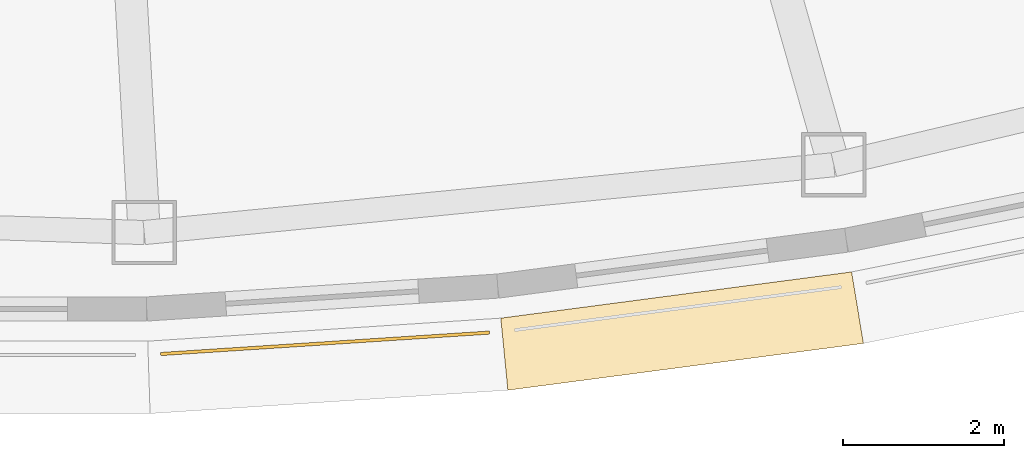
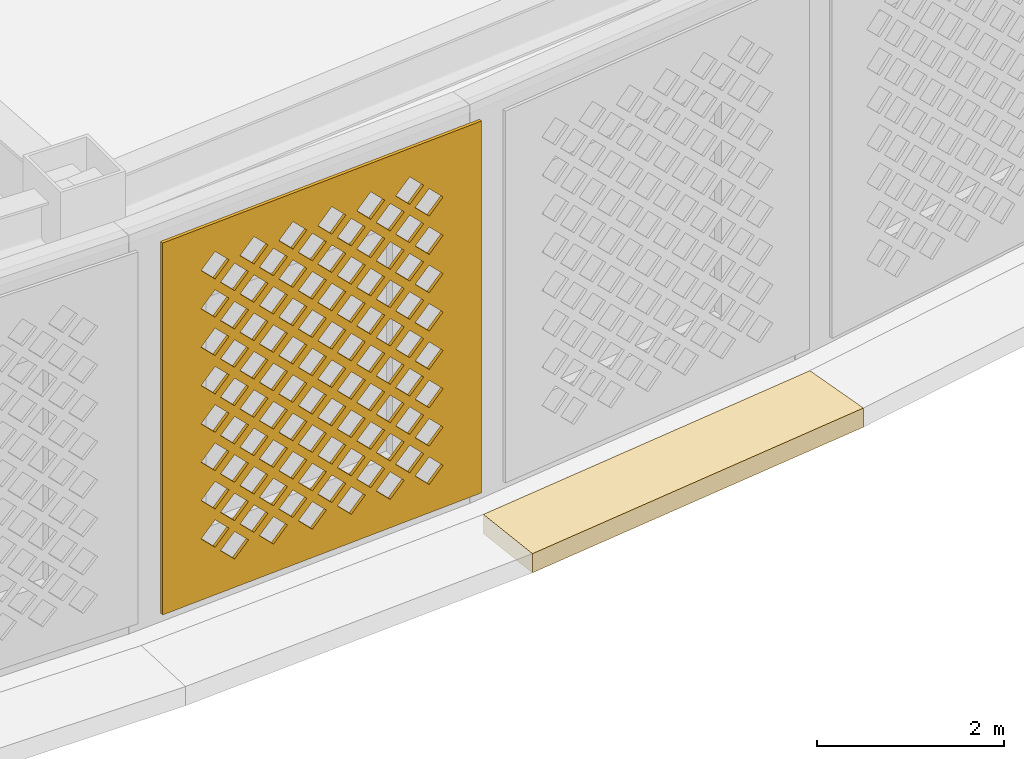
# One storey, part 48 of 63: 2 coverings.
"""IFC4 building model written with IfcOpenShell, lengths in metres."""

from ifc_helpers import new_model, si_unit, direction, frame, origin, place, context, subcontext, project, spatial, polyline, outline, extrude, material, layer, layer_set, type_object, element, save


model = new_model("IFC4")

# Units and contexts
model_context = context("Model", 3, precision=1e-05, world=origin(), true_north=direction((0.0, 1.0)))
body_context = subcontext(model_context, "Body", "Model", "MODEL_VIEW")
ifc_project = project(units=[si_unit("LENGTHUNIT", "METRE"), si_unit("AREAUNIT", "SQUARE_METRE"), si_unit("VOLUMEUNIT", "CUBIC_METRE"), si_unit("PLANEANGLEUNIT", "RADIAN"), si_unit("MASSUNIT", "GRAM", prefix="KILO")], contexts=[model_context])

# Site, building, storey
site_placement = place(None, origin())
site = spatial("IfcSite", under=ifc_project, at=site_placement, CompositionType="ELEMENT")
building_placement = place(site_placement, origin())
building = spatial("IfcBuilding", under=site, at=building_placement, Name="Noorbagh Ring Tower", CompositionType="ELEMENT")
storey_placement = place(building_placement, frame((0.0, 0.0, 25.0)))
storey = spatial("IfcBuildingStorey", under=building, at=storey_placement, Name="L04", CompositionType="ELEMENT", Elevation=25.0)

# Coverings
ifc_material_1 = material(Name="Red sandstone eave", Category="masonry")
covering_type_1 = type_object("IfcCoveringType", Name="STY-CHHAJJA", PredefinedType="USERDEFINED", material=ifc_material_1)
covering_1_placement = place(storey_placement, frame((0.0, 0.0, -0.25)))
element("IfcCovering", 1, at=covering_1_placement, inside=storey, type_object=covering_type_1, Name="Chhajja eave", ObjectType="CHHAJJA", PredefinedType="USERDEFINED", context=body_context, shape_type="SweptSolid", body=[
    extrude(outline(polyline([(6.586181640625, -39.677978515625), (10.945556640625, -39.103759765625), (11.093017578125, -39.9921875), (6.67431640625, -40.573974609375), (6.586181640625, -39.677978515625)])), origin(), (0.0, 0.0, 1.0), 0.25),
])
ifc_material_2 = material(Name="Red sandstone jali", Category="masonry")
ifc_layer = layer(ifc_material_2, 0.0400390625)
ifc_layer_set = layer_set([ifc_layer], Name="Red sandstone jali")
covering_type_2 = type_object("IfcCoveringType", Name="STY-JALI", PredefinedType="USERDEFINED", material=ifc_layer_set)
covering_2_placement = place(storey_placement, frame((2.360595703125, -40.14404296875, 0.449951171875), z_axis=(0.065130734288, -0.997876739608, 0.0), x_axis=(0.997876739608, 0.065130734288, 0.0)))
element("IfcCovering", 2, at=covering_2_placement, inside=storey, type_object=covering_type_2, Name="Jali screen", ObjectType="SCREEN", PredefinedType="USERDEFINED", context=body_context, shape_type="SweptSolid", body=[
    extrude(outline(polyline([(0.0, 0.0), (4.09716796875, 0.0), (4.09716796875, 4.85009765625), (0.0, 4.85009765625), (0.0, 0.0)]), holes=[polyline([(0.743408203125, 0.550048828125), (0.923583984375, 0.3701171875), (1.103515625, 0.550048828125), (0.923583984375, 0.72998046875), (0.743408203125, 0.550048828125)]), polyline([(1.243408203125, 0.550048828125), (1.423583984375, 0.3701171875), (1.603515625, 0.550048828125), (1.423583984375, 0.72998046875), (1.243408203125, 0.550048828125)]), polyline([(1.743408203125, 0.550048828125), (1.923583984375, 0.3701171875), (2.103515625, 0.550048828125), (1.923583984375, 0.72998046875), (1.743408203125, 0.550048828125)]), polyline([(2.243408203125, 0.550048828125), (2.423583984375, 0.3701171875), (2.603515625, 0.550048828125), (2.423583984375, 0.72998046875), (2.243408203125, 0.550048828125)]), polyline([(2.743408203125, 0.550048828125), (2.923583984375, 0.3701171875), (3.103515625, 0.550048828125), (2.923583984375, 0.72998046875), (2.743408203125, 0.550048828125)]), polyline([(3.243408203125, 0.550048828125), (3.423583984375, 0.3701171875), (3.603515625, 0.550048828125), (3.423583984375, 0.72998046875), (3.243408203125, 0.550048828125)]), polyline([(0.493408203125, 0.800048828125), (0.673583984375, 0.6201171875), (0.853515625, 0.800048828125), (0.673583984375, 0.97998046875), (0.493408203125, 0.800048828125)]), polyline([(0.993408203125, 0.800048828125), (1.173583984375, 0.6201171875), (1.353515625, 0.800048828125), (1.173583984375, 0.97998046875), (0.993408203125, 0.800048828125)]), polyline([(1.493408203125, 0.800048828125), (1.673583984375, 0.6201171875), (1.853515625, 0.800048828125), (1.673583984375, 0.97998046875), (1.493408203125, 0.800048828125)]), polyline([(1.993408203125, 0.800048828125), (2.173583984375, 0.6201171875), (2.353515625, 0.800048828125), (2.173583984375, 0.97998046875), (1.993408203125, 0.800048828125)]), polyline([(2.493408203125, 0.800048828125), (2.673583984375, 0.6201171875), (2.853515625, 0.800048828125), (2.673583984375, 0.97998046875), (2.493408203125, 0.800048828125)]), polyline([(2.993408203125, 0.800048828125), (3.173583984375, 0.6201171875), (3.353515625, 0.800048828125), (3.173583984375, 0.97998046875), (2.993408203125, 0.800048828125)]), polyline([(0.743408203125, 1.050048828125), (0.923583984375, 0.8701171875), (1.103515625, 1.050048828125), (0.923583984375, 1.22998046875), (0.743408203125, 1.050048828125)]), polyline([(1.243408203125, 1.050048828125), (1.423583984375, 0.8701171875), (1.603515625, 1.050048828125), (1.423583984375, 1.22998046875), (1.243408203125, 1.050048828125)]), polyline([(1.743408203125, 1.050048828125), (1.923583984375, 0.8701171875), (2.103515625, 1.050048828125), (1.923583984375, 1.22998046875), (1.743408203125, 1.050048828125)]), polyline([(2.243408203125, 1.050048828125), (2.423583984375, 0.8701171875), (2.603515625, 1.050048828125), (2.423583984375, 1.22998046875), (2.243408203125, 1.050048828125)]), polyline([(2.743408203125, 1.050048828125), (2.923583984375, 0.8701171875), (3.103515625, 1.050048828125), (2.923583984375, 1.22998046875), (2.743408203125, 1.050048828125)]), polyline([(3.243408203125, 1.050048828125), (3.423583984375, 0.8701171875), (3.603515625, 1.050048828125), (3.423583984375, 1.22998046875), (3.243408203125, 1.050048828125)]), polyline([(0.493408203125, 1.300048828125), (0.673583984375, 1.1201171875), (0.853515625, 1.300048828125), (0.673583984375, 1.47998046875), (0.493408203125, 1.300048828125)]), polyline([(0.993408203125, 1.300048828125), (1.173583984375, 1.1201171875), (1.353515625, 1.300048828125), (1.173583984375, 1.47998046875), (0.993408203125, 1.300048828125)]), polyline([(1.493408203125, 1.300048828125), (1.673583984375, 1.1201171875), (1.853515625, 1.300048828125), (1.673583984375, 1.47998046875), (1.493408203125, 1.300048828125)]), polyline([(1.993408203125, 1.300048828125), (2.173583984375, 1.1201171875), (2.353515625, 1.300048828125), (2.173583984375, 1.47998046875), (1.993408203125, 1.300048828125)]), polyline([(2.493408203125, 1.300048828125), (2.673583984375, 1.1201171875), (2.853515625, 1.300048828125), (2.673583984375, 1.47998046875), (2.493408203125, 1.300048828125)]), polyline([(2.993408203125, 1.300048828125), (3.173583984375, 1.1201171875), (3.353515625, 1.300048828125), (3.173583984375, 1.47998046875), (2.993408203125, 1.300048828125)]), polyline([(0.743408203125, 1.550048828125), (0.923583984375, 1.3701171875), (1.103515625, 1.550048828125), (0.923583984375, 1.72998046875), (0.743408203125, 1.550048828125)]), polyline([(1.243408203125, 1.550048828125), (1.423583984375, 1.3701171875), (1.603515625, 1.550048828125), (1.423583984375, 1.72998046875), (1.243408203125, 1.550048828125)]), polyline([(1.743408203125, 1.550048828125), (1.923583984375, 1.3701171875), (2.103515625, 1.550048828125), (1.923583984375, 1.72998046875), (1.743408203125, 1.550048828125)]), polyline([(2.243408203125, 1.550048828125), (2.423583984375, 1.3701171875), (2.603515625, 1.550048828125), (2.423583984375, 1.72998046875), (2.243408203125, 1.550048828125)]), polyline([(2.743408203125, 1.550048828125), (2.923583984375, 1.3701171875), (3.103515625, 1.550048828125), (2.923583984375, 1.72998046875), (2.743408203125, 1.550048828125)]), polyline([(3.243408203125, 1.550048828125), (3.423583984375, 1.3701171875), (3.603515625, 1.550048828125), (3.423583984375, 1.72998046875), (3.243408203125, 1.550048828125)]), polyline([(0.493408203125, 1.800048828125), (0.673583984375, 1.6201171875), (0.853515625, 1.800048828125), (0.673583984375, 1.97998046875), (0.493408203125, 1.800048828125)]), polyline([(0.993408203125, 1.800048828125), (1.173583984375, 1.6201171875), (1.353515625, 1.800048828125), (1.173583984375, 1.97998046875), (0.993408203125, 1.800048828125)]), polyline([(1.493408203125, 1.800048828125), (1.673583984375, 1.6201171875), (1.853515625, 1.800048828125), (1.673583984375, 1.97998046875), (1.493408203125, 1.800048828125)]), polyline([(1.993408203125, 1.800048828125), (2.173583984375, 1.6201171875), (2.353515625, 1.800048828125), (2.173583984375, 1.97998046875), (1.993408203125, 1.800048828125)]), polyline([(2.493408203125, 1.800048828125), (2.673583984375, 1.6201171875), (2.853515625, 1.800048828125), (2.673583984375, 1.97998046875), (2.493408203125, 1.800048828125)]), polyline([(2.993408203125, 1.800048828125), (3.173583984375, 1.6201171875), (3.353515625, 1.800048828125), (3.173583984375, 1.97998046875), (2.993408203125, 1.800048828125)]), polyline([(0.743408203125, 2.050048828125), (0.923583984375, 1.8701171875), (1.103515625, 2.050048828125), (0.923583984375, 2.22998046875), (0.743408203125, 2.050048828125)]), polyline([(1.243408203125, 2.050048828125), (1.423583984375, 1.8701171875), (1.603515625, 2.050048828125), (1.423583984375, 2.22998046875), (1.243408203125, 2.050048828125)]), polyline([(1.743408203125, 2.050048828125), (1.923583984375, 1.8701171875), (2.103515625, 2.050048828125), (1.923583984375, 2.22998046875), (1.743408203125, 2.050048828125)]), polyline([(2.243408203125, 2.050048828125), (2.423583984375, 1.8701171875), (2.603515625, 2.050048828125), (2.423583984375, 2.22998046875), (2.243408203125, 2.050048828125)]), polyline([(2.743408203125, 2.050048828125), (2.923583984375, 1.8701171875), (3.103515625, 2.050048828125), (2.923583984375, 2.22998046875), (2.743408203125, 2.050048828125)]), polyline([(3.243408203125, 2.050048828125), (3.423583984375, 1.8701171875), (3.603515625, 2.050048828125), (3.423583984375, 2.22998046875), (3.243408203125, 2.050048828125)]), polyline([(0.493408203125, 2.300048828125), (0.673583984375, 2.1201171875), (0.853515625, 2.300048828125), (0.673583984375, 2.47998046875), (0.493408203125, 2.300048828125)]), polyline([(0.993408203125, 2.300048828125), (1.173583984375, 2.1201171875), (1.353515625, 2.300048828125), (1.173583984375, 2.47998046875), (0.993408203125, 2.300048828125)]), polyline([(1.493408203125, 2.300048828125), (1.673583984375, 2.1201171875), (1.853515625, 2.300048828125), (1.673583984375, 2.47998046875), (1.493408203125, 2.300048828125)]), polyline([(1.993408203125, 2.300048828125), (2.173583984375, 2.1201171875), (2.353515625, 2.300048828125), (2.173583984375, 2.47998046875), (1.993408203125, 2.300048828125)]), polyline([(2.493408203125, 2.300048828125), (2.673583984375, 2.1201171875), (2.853515625, 2.300048828125), (2.673583984375, 2.47998046875), (2.493408203125, 2.300048828125)]), polyline([(2.993408203125, 2.300048828125), (3.173583984375, 2.1201171875), (3.353515625, 2.300048828125), (3.173583984375, 2.47998046875), (2.993408203125, 2.300048828125)]), polyline([(0.743408203125, 2.550048828125), (0.923583984375, 2.3701171875), (1.103515625, 2.550048828125), (0.923583984375, 2.72998046875), (0.743408203125, 2.550048828125)]), polyline([(1.243408203125, 2.550048828125), (1.423583984375, 2.3701171875), (1.603515625, 2.550048828125), (1.423583984375, 2.72998046875), (1.243408203125, 2.550048828125)]), polyline([(1.743408203125, 2.550048828125), (1.923583984375, 2.3701171875), (2.103515625, 2.550048828125), (1.923583984375, 2.72998046875), (1.743408203125, 2.550048828125)]), polyline([(2.243408203125, 2.550048828125), (2.423583984375, 2.3701171875), (2.603515625, 2.550048828125), (2.423583984375, 2.72998046875), (2.243408203125, 2.550048828125)]), polyline([(2.743408203125, 2.550048828125), (2.923583984375, 2.3701171875), (3.103515625, 2.550048828125), (2.923583984375, 2.72998046875), (2.743408203125, 2.550048828125)]), polyline([(3.243408203125, 2.550048828125), (3.423583984375, 2.3701171875), (3.603515625, 2.550048828125), (3.423583984375, 2.72998046875), (3.243408203125, 2.550048828125)]), polyline([(0.493408203125, 2.800048828125), (0.673583984375, 2.6201171875), (0.853515625, 2.800048828125), (0.673583984375, 2.97998046875), (0.493408203125, 2.800048828125)]), polyline([(0.993408203125, 2.800048828125), (1.173583984375, 2.6201171875), (1.353515625, 2.800048828125), (1.173583984375, 2.97998046875), (0.993408203125, 2.800048828125)]), polyline([(1.493408203125, 2.800048828125), (1.673583984375, 2.6201171875), (1.853515625, 2.800048828125), (1.673583984375, 2.97998046875), (1.493408203125, 2.800048828125)]), polyline([(1.993408203125, 2.800048828125), (2.173583984375, 2.6201171875), (2.353515625, 2.800048828125), (2.173583984375, 2.97998046875), (1.993408203125, 2.800048828125)]), polyline([(2.493408203125, 2.800048828125), (2.673583984375, 2.6201171875), (2.853515625, 2.800048828125), (2.673583984375, 2.97998046875), (2.493408203125, 2.800048828125)]), polyline([(2.993408203125, 2.800048828125), (3.173583984375, 2.6201171875), (3.353515625, 2.800048828125), (3.173583984375, 2.97998046875), (2.993408203125, 2.800048828125)]), polyline([(0.743408203125, 3.050048828125), (0.923583984375, 2.8701171875), (1.103515625, 3.050048828125), (0.923583984375, 3.22998046875), (0.743408203125, 3.050048828125)]), polyline([(1.243408203125, 3.050048828125), (1.423583984375, 2.8701171875), (1.603515625, 3.050048828125), (1.423583984375, 3.22998046875), (1.243408203125, 3.050048828125)]), polyline([(1.743408203125, 3.050048828125), (1.923583984375, 2.8701171875), (2.103515625, 3.050048828125), (1.923583984375, 3.22998046875), (1.743408203125, 3.050048828125)]), polyline([(2.243408203125, 3.050048828125), (2.423583984375, 2.8701171875), (2.603515625, 3.050048828125), (2.423583984375, 3.22998046875), (2.243408203125, 3.050048828125)]), polyline([(2.743408203125, 3.050048828125), (2.923583984375, 2.8701171875), (3.103515625, 3.050048828125), (2.923583984375, 3.22998046875), (2.743408203125, 3.050048828125)]), polyline([(3.243408203125, 3.050048828125), (3.423583984375, 2.8701171875), (3.603515625, 3.050048828125), (3.423583984375, 3.22998046875), (3.243408203125, 3.050048828125)]), polyline([(0.493408203125, 3.300048828125), (0.673583984375, 3.1201171875), (0.853515625, 3.300048828125), (0.673583984375, 3.47998046875), (0.493408203125, 3.300048828125)]), polyline([(0.993408203125, 3.300048828125), (1.173583984375, 3.1201171875), (1.353515625, 3.300048828125), (1.173583984375, 3.47998046875), (0.993408203125, 3.300048828125)]), polyline([(1.493408203125, 3.300048828125), (1.673583984375, 3.1201171875), (1.853515625, 3.300048828125), (1.673583984375, 3.47998046875), (1.493408203125, 3.300048828125)]), polyline([(1.993408203125, 3.300048828125), (2.173583984375, 3.1201171875), (2.353515625, 3.300048828125), (2.173583984375, 3.47998046875), (1.993408203125, 3.300048828125)]), polyline([(2.493408203125, 3.300048828125), (2.673583984375, 3.1201171875), (2.853515625, 3.300048828125), (2.673583984375, 3.47998046875), (2.493408203125, 3.300048828125)]), polyline([(2.993408203125, 3.300048828125), (3.173583984375, 3.1201171875), (3.353515625, 3.300048828125), (3.173583984375, 3.47998046875), (2.993408203125, 3.300048828125)]), polyline([(0.743408203125, 3.550048828125), (0.923583984375, 3.3701171875), (1.103515625, 3.550048828125), (0.923583984375, 3.72998046875), (0.743408203125, 3.550048828125)]), polyline([(1.243408203125, 3.550048828125), (1.423583984375, 3.3701171875), (1.603515625, 3.550048828125), (1.423583984375, 3.72998046875), (1.243408203125, 3.550048828125)]), polyline([(1.743408203125, 3.550048828125), (1.923583984375, 3.3701171875), (2.103515625, 3.550048828125), (1.923583984375, 3.72998046875), (1.743408203125, 3.550048828125)]), polyline([(2.243408203125, 3.550048828125), (2.423583984375, 3.3701171875), (2.603515625, 3.550048828125), (2.423583984375, 3.72998046875), (2.243408203125, 3.550048828125)]), polyline([(2.743408203125, 3.550048828125), (2.923583984375, 3.3701171875), (3.103515625, 3.550048828125), (2.923583984375, 3.72998046875), (2.743408203125, 3.550048828125)]), polyline([(3.243408203125, 3.550048828125), (3.423583984375, 3.3701171875), (3.603515625, 3.550048828125), (3.423583984375, 3.72998046875), (3.243408203125, 3.550048828125)]), polyline([(0.493408203125, 3.800048828125), (0.673583984375, 3.6201171875), (0.853515625, 3.800048828125), (0.673583984375, 3.97998046875), (0.493408203125, 3.800048828125)]), polyline([(0.993408203125, 3.800048828125), (1.173583984375, 3.6201171875), (1.353515625, 3.800048828125), (1.173583984375, 3.97998046875), (0.993408203125, 3.800048828125)]), polyline([(1.493408203125, 3.800048828125), (1.673583984375, 3.6201171875), (1.853515625, 3.800048828125), (1.673583984375, 3.97998046875), (1.493408203125, 3.800048828125)]), polyline([(1.993408203125, 3.800048828125), (2.173583984375, 3.6201171875), (2.353515625, 3.800048828125), (2.173583984375, 3.97998046875), (1.993408203125, 3.800048828125)]), polyline([(2.493408203125, 3.800048828125), (2.673583984375, 3.6201171875), (2.853515625, 3.800048828125), (2.673583984375, 3.97998046875), (2.493408203125, 3.800048828125)]), polyline([(2.993408203125, 3.800048828125), (3.173583984375, 3.6201171875), (3.353515625, 3.800048828125), (3.173583984375, 3.97998046875), (2.993408203125, 3.800048828125)]), polyline([(0.743408203125, 4.050048828125), (0.923583984375, 3.8701171875), (1.103515625, 4.050048828125), (0.923583984375, 4.22998046875), (0.743408203125, 4.050048828125)]), polyline([(1.243408203125, 4.050048828125), (1.423583984375, 3.8701171875), (1.603515625, 4.050048828125), (1.423583984375, 4.22998046875), (1.243408203125, 4.050048828125)]), polyline([(1.743408203125, 4.050048828125), (1.923583984375, 3.8701171875), (2.103515625, 4.050048828125), (1.923583984375, 4.22998046875), (1.743408203125, 4.050048828125)]), polyline([(2.243408203125, 4.050048828125), (2.423583984375, 3.8701171875), (2.603515625, 4.050048828125), (2.423583984375, 4.22998046875), (2.243408203125, 4.050048828125)]), polyline([(2.743408203125, 4.050048828125), (2.923583984375, 3.8701171875), (3.103515625, 4.050048828125), (2.923583984375, 4.22998046875), (2.743408203125, 4.050048828125)]), polyline([(3.243408203125, 4.050048828125), (3.423583984375, 3.8701171875), (3.603515625, 4.050048828125), (3.423583984375, 4.22998046875), (3.243408203125, 4.050048828125)]), polyline([(0.493408203125, 4.300048828125), (0.673583984375, 4.1201171875), (0.853515625, 4.300048828125), (0.673583984375, 4.47998046875), (0.493408203125, 4.300048828125)]), polyline([(0.993408203125, 4.300048828125), (1.173583984375, 4.1201171875), (1.353515625, 4.300048828125), (1.173583984375, 4.47998046875), (0.993408203125, 4.300048828125)]), polyline([(1.493408203125, 4.300048828125), (1.673583984375, 4.1201171875), (1.853515625, 4.300048828125), (1.673583984375, 4.47998046875), (1.493408203125, 4.300048828125)]), polyline([(1.993408203125, 4.300048828125), (2.173583984375, 4.1201171875), (2.353515625, 4.300048828125), (2.173583984375, 4.47998046875), (1.993408203125, 4.300048828125)]), polyline([(2.493408203125, 4.300048828125), (2.673583984375, 4.1201171875), (2.853515625, 4.300048828125), (2.673583984375, 4.47998046875), (2.493408203125, 4.300048828125)]), polyline([(2.993408203125, 4.300048828125), (3.173583984375, 4.1201171875), (3.353515625, 4.300048828125), (3.173583984375, 4.47998046875), (2.993408203125, 4.300048828125)])]), origin(), (0.0, 0.0, -1.0), 0.0400390625),
])

save(model, "model.ifc")
